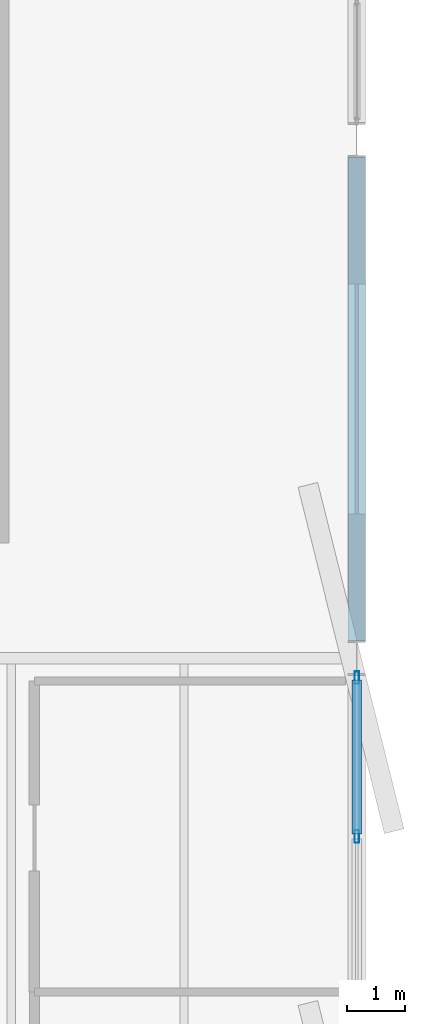
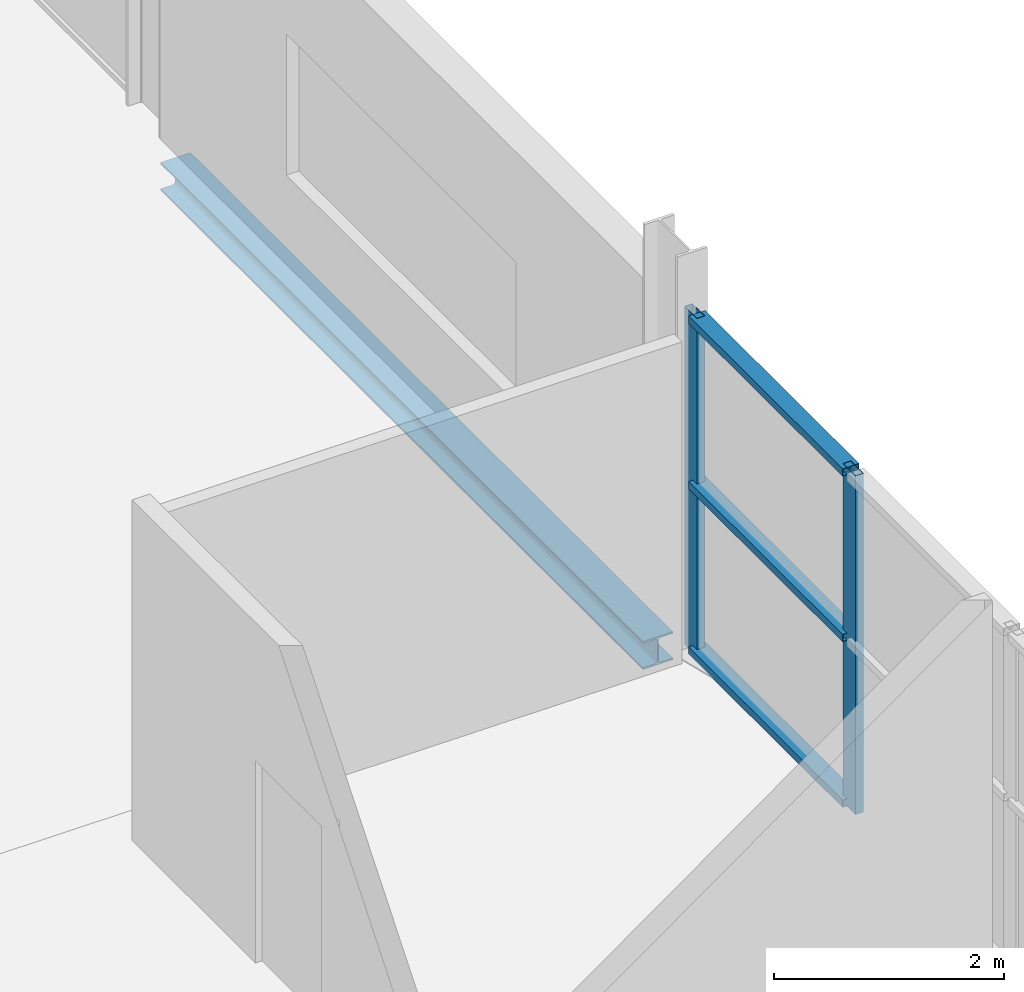
# One storey, part 92 of 135: 5 members, 1 beam, 1 element without a shape of its own.
"""IFC4 building model written with IfcOpenShell, lengths in metres."""

import ifcopenshell
import ifcopenshell.guid

model = None  # the IFC model being written
_history = None  # IfcOwnerHistory: only IFC2X3 demands one
_inside = {}  # id of a spatial element -> (the spatial element, [elements in it])
_under = {}  # id of a project, library or spatial element -> (it, [spatial elements below it])
_declared = {}  # id of a project -> (the project, [libraries it declares])
_typed = {}  # id of a type object -> (the type object, [elements of that type])
_made_of = {}  # id of a material, layer set ... -> (it, [elements and type objects made of it])


def new_model(schema):
    """Start an empty IFC model of exactly this schema.

    Asked for "IFC4X3", IfcOpenShell would pick the latest addendum, in which some entities
    have other attributes; the version numbers below select the first issue.
    IFC2X3 requires an IfcOwnerHistory on every rooted entity: one is made here for all.
    """
    global model, _history
    if schema == "IFC4X3":
        model = ifcopenshell.file(schema_version=(4, 3, 0, 0))
    else:
        model = ifcopenshell.file(schema=schema)
    _inside.clear()
    _under.clear()
    _declared.clear()
    _typed.clear()
    _made_of.clear()
    _history = None
    if model.schema == "IFC2X3":
        org = make("IfcOrganization", Name="unknown")
        user = make(
            "IfcPersonAndOrganization",
            ThePerson=make("IfcPerson", FamilyName="unknown"),
            TheOrganization=org,
        )
        app = make(
            "IfcApplication",
            ApplicationDeveloper=org,
            Version="unknown",
            ApplicationFullName="unknown",
            ApplicationIdentifier="unknown",
        )
        _history = make(
            "IfcOwnerHistory",
            OwningUser=user,
            OwningApplication=app,
            ChangeAction="ADDED",
            CreationDate=0,
        )
    return model


def make(cls, **values):
    """One entity of the class cls with the attributes given. An attribute that is None is left unset."""
    return model.create_entity(
        cls, **{name: value for name, value in values.items() if value is not None}
    )


def rooted(cls, **values):
    """An entity with a GlobalId (a new one), such as an element, a storey or a relation."""
    return make(cls, GlobalId=ifcopenshell.guid.new(), OwnerHistory=_history, **values)


def si_unit(unit_type, name, prefix=None):
    """IfcSIUnit, for example si_unit("LENGTHUNIT", "METRE", prefix="MILLI")."""
    return make("IfcSIUnit", UnitType=unit_type, Prefix=prefix, Name=name)


def assignment(units):
    """IfcUnitAssignment: the units of a project."""
    return None if units is None else make("IfcUnitAssignment", Units=units)


def point(xyz):
    """IfcCartesianPoint."""
    return None if xyz is None else make("IfcCartesianPoint", Coordinates=xyz)


def direction(xyz):
    """IfcDirection."""
    return None if xyz is None else make("IfcDirection", DirectionRatios=xyz)


def frame(location, z_axis=None, x_axis=None):
    """IfcAxis2Placement3D, a coordinate frame: its origin and axes. An axis left out is left unset."""
    return make(
        "IfcAxis2Placement3D",
        Location=point(location),
        Axis=direction(z_axis),
        RefDirection=direction(x_axis),
    )


def frame_2d(location, x_axis=None):
    """IfcAxis2Placement2D, a coordinate frame in the plane: its origin and x axis."""
    return make(
        "IfcAxis2Placement2D", Location=point(location), RefDirection=direction(x_axis)
    )


def origin():
    """The frame at (0, 0, 0) with its axes left unset."""
    return frame((0.0, 0.0, 0.0))


def origin_2d():
    """The frame at (0, 0) in the plane with its x axis left unset."""
    return frame_2d((0.0, 0.0))


def place(relative_to, where):
    """IfcLocalPlacement: puts the frame where relative to a parent placement (None: the world)."""
    return make(
        "IfcLocalPlacement", PlacementRelTo=relative_to, RelativePlacement=where
    )


def context(
    kind, dimensions, precision=None, world=None, true_north=None, identifier=None
):
    """IfcGeometricRepresentationContext, for example the 3D "Model" context."""
    return make(
        "IfcGeometricRepresentationContext",
        ContextIdentifier=identifier,
        ContextType=kind,
        CoordinateSpaceDimension=dimensions,
        Precision=precision,
        WorldCoordinateSystem=world,
        TrueNorth=true_north,
    )


def subcontext(parent, identifier, kind, view, scale=None):
    """IfcGeometricRepresentationSubContext, for example "Body" below "Model"."""
    return make(
        "IfcGeometricRepresentationSubContext",
        ContextIdentifier=identifier,
        ContextType=kind,
        ParentContext=parent,
        TargetScale=scale,
        TargetView=view,
    )


def project(units=None, contexts=None):
    """IfcProject with its units and contexts."""
    return rooted(
        "IfcProject",
        Name="project",
        RepresentationContexts=contexts,
        UnitsInContext=assignment(units),
    )


def spatial(cls, under=None, at=None, **own):
    """A site, building, storey or space (cls), placed at a placement, below another one or the project."""
    s = rooted(cls, ObjectPlacement=at, **own)
    if under is not None:
        _under.setdefault(under.id(), (under, []))[1].append(s)
    return s


def profile(cls, at=None, kind="AREA", **sizes):
    """A parametric profile (cls). Its sizes go by their IFC names, for example OverallWidth=200.0."""
    return make(cls, ProfileType=kind, Position=at, **sizes)


def hollow_rectangle(**sizes):
    """IfcRectangleHollowProfileDef."""
    return profile("IfcRectangleHollowProfileDef", **sizes)


def i_section(**sizes):
    """IfcIShapeProfileDef."""
    return profile("IfcIShapeProfileDef", **sizes)


def extrude(swept, where, along, depth):
    """IfcExtrudedAreaSolid: the profile swept, set in the frame where, extruded along a direction by depth."""
    return make(
        "IfcExtrudedAreaSolid",
        SweptArea=swept,
        Position=where,
        ExtrudedDirection=direction(along),
        Depth=depth,
    )


def shape(context_of_items, identifier, shape_type, items):
    """IfcShapeRepresentation: the items that make up one representation, for example the "Body"."""
    return make(
        "IfcShapeRepresentation",
        ContextOfItems=context_of_items,
        RepresentationIdentifier=identifier,
        RepresentationType=shape_type,
        Items=items,
    )


def material(Name=None, Category=None):
    """IfcMaterial."""
    return make("IfcMaterial", Name=Name, Category=Category)


def layer(
    of_material, thickness, ventilated=None, Name=None, Category=None, Priority=None
):
    """IfcMaterialLayer: one layer of a wall or slab, of a material (None: an air gap)."""
    return make(
        "IfcMaterialLayer",
        Material=of_material,
        LayerThickness=thickness,
        IsVentilated=ventilated,
        Name=Name,
        Category=Category,
        Priority=Priority,
    )


def layer_set(layers, Name=None):
    """IfcMaterialLayerSet."""
    return make("IfcMaterialLayerSet", MaterialLayers=layers, LayerSetName=Name)


def material_profile(
    of_material, cross_section, Name=None, Category=None, Priority=None
):
    """IfcMaterialProfile: a cross section and its material."""
    return make(
        "IfcMaterialProfile",
        Name=Name,
        Material=of_material,
        Profile=cross_section,
        Priority=Priority,
        Category=Category,
    )


def profile_set(profiles, Name=None, composite=None):
    """IfcMaterialProfileSet."""
    return make(
        "IfcMaterialProfileSet",
        Name=Name,
        MaterialProfiles=profiles,
        CompositeProfile=composite,
    )


def made_of(thing, what):
    """Note that an element or type object is made of a material, layer set ...; save() writes the relation."""
    if what is not None:
        _made_of.setdefault(what.id(), (what, []))[1].append(thing)
    return thing


def type_object(cls, material=None, **own):
    """A type object (cls), such as IfcWallType, which elements share."""
    return made_of(rooted(cls, **own), material)


def element(
    cls,
    number,
    at=None,
    inside=None,
    cuts=None,
    type_object=None,
    material=None,
    context=None,
    identifier="Body",
    shape_type=None,
    held_by="IfcProductDefinitionShape",
    body=None,
    shapes=None,
    **own,
):
    """One element of the class cls, such as IfcWall. Its Tag is "e" and its number.

    at: its placement. inside: the storey or other place that contains it. cuts: it is an
    opening in that element (IfcRelVoidsElement). A single representation is given by context,
    identifier, shape_type and body (its items); several are given by shapes. held_by: the class
    of the entity that holds the representations. save() writes the other relations.
    """
    e = rooted(cls, Tag="e%d" % number, ObjectPlacement=at, **own)
    if body is not None:
        shapes = [shape(context, identifier, shape_type, body)]
    if shapes is not None:
        e.Representation = make(held_by, Representations=shapes)
    if inside is not None:
        _inside.setdefault(inside.id(), (inside, []))[1].append(e)
    if cuts is not None:
        rooted(
            "IfcRelVoidsElement", RelatingBuildingElement=cuts, RelatedOpeningElement=e
        )
    if type_object is not None:
        _typed.setdefault(type_object.id(), (type_object, []))[1].append(e)
    return made_of(e, material)


def aggregate(whole, parts):
    """IfcRelAggregates: a whole, such as a stair, and the parts it consists of."""
    return rooted("IfcRelAggregates", RelatingObject=whole, RelatedObjects=parts)


def save(model, path):
    """Write the relations noted so far, then the file.

    IfcRelAggregates (storeys below a building ...), IfcRelContainedInSpatialStructure (elements
    in a storey), IfcRelDefinesByType, IfcRelAssociatesMaterial and IfcRelDeclares: one each for
    every whole, place, type object, material and project.
    """
    for whole, parts in _under.values():
        aggregate(whole, parts)
    for where, things in _inside.values():
        rooted(
            "IfcRelContainedInSpatialStructure",
            RelatedElements=things,
            RelatingStructure=where,
        )
    for kind, things in _typed.values():
        rooted("IfcRelDefinesByType", RelatedObjects=things, RelatingType=kind)
    for what, things in _made_of.values():
        rooted("IfcRelAssociatesMaterial", RelatedObjects=things, RelatingMaterial=what)
    for by, libraries in _declared.values():
        rooted("IfcRelDeclares", RelatingContext=by, RelatedDefinitions=libraries)
    model.write(path)


model = new_model("IFC4")

# Units and contexts
model_context = context("Model", 3, precision=1e-05, world=origin(), true_north=direction((0.0, 1.0)))
body_context = subcontext(model_context, "Body", "Model", "MODEL_VIEW")
ifc_project = project(units=[si_unit("LENGTHUNIT", "METRE"), si_unit("AREAUNIT", "SQUARE_METRE"), si_unit("VOLUMEUNIT", "CUBIC_METRE"), si_unit("PLANEANGLEUNIT", "RADIAN"), si_unit("MASSUNIT", "GRAM", prefix="KILO")], contexts=[model_context])

# Site, building, storey
site_placement = place(None, origin())
site = spatial("IfcSite", under=ifc_project, at=site_placement, CompositionType="ELEMENT")
building_placement = place(site_placement, origin())
building = spatial("IfcBuilding", under=site, at=building_placement, Name="Deido Ridge Mobility Hub", CompositionType="ELEMENT")
storey_placement = place(building_placement, frame((0.0, 0.0, 4.199951171875)))
storey = spatial("IfcBuildingStorey", under=building, at=storey_placement, Name="L01", CompositionType="ELEMENT", Elevation=4.199951171875)

# Curtain wall, members
ifc_material_1 = material(Name="Anodised aluminium EN AW-6063 T6", Category="aluminium")
ifc_layer = layer(ifc_material_1, 0.2548828125, Name="Anodised aluminium EN AW-6063 T6")
ifc_layer_set = layer_set([ifc_layer], Name="Anodised aluminium EN AW-6063 T6")
curtain_wall_type = type_object("IfcCurtainWallType", Name="CW-UF-7", PredefinedType="USERDEFINED", material=ifc_layer_set)
curtain_wall_placement = place(storey_placement, origin())
curtain_wall = element("IfcCurtainWall", 1, at=curtain_wall_placement, inside=storey, type_object=curtain_wall_type, Name="Unitised curtain wall CW7", ObjectType="UNITISED FACADE", PredefinedType="USERDEFINED")
ifc_material_profile_1 = material_profile(ifc_material_1, hollow_rectangle(XDim=0.080078125, YDim=0.219970703125, WallThickness=0.00390625, at=origin_2d()), Name="RHS 80x220x4")
ifc_profile_set_1 = profile_set([ifc_material_profile_1], Name="Anodised aluminium EN AW-6063 T6")
member_type_1 = type_object("IfcMemberType", Name="MEM-MUL-80X220", PredefinedType="MULLION", material=ifc_profile_set_1)
member_1_placement = place(storey_placement, frame((180.0, 32.89990234375, 0.0), z_axis=(0.0, 0.0, 1.0), x_axis=(-1.0, 0.0, 0.0)))
member_1 = element("IfcMember", 2, at=member_1_placement, type_object=member_type_1, Name="CW7 mullion 3", PredefinedType="MULLION", context=body_context, shape_type="SweptSolid", body=[
    extrude(hollow_rectangle(XDim=0.080078125, YDim=0.219970703125, WallThickness=0.00390625, at=origin_2d()), origin(), (0.0, 0.0, 1.0), 3.60009765625),
])
member_2_placement = place(storey_placement, frame((180.0, 35.659912109375, 0.0), z_axis=(0.0, 0.0, 1.0), x_axis=(-1.0, 0.0, 0.0)))
member_2 = element("IfcMember", 3, at=member_2_placement, type_object=member_type_1, Name="CW7 mullion 4", PredefinedType="MULLION", context=body_context, shape_type="SweptSolid", body=[
    extrude(hollow_rectangle(XDim=0.080078125, YDim=0.219970703125, WallThickness=0.00390625, at=origin_2d()), origin(), (0.0, 0.0, 1.0), 3.60009765625),
])
ifc_material_profile_2 = material_profile(ifc_material_1, hollow_rectangle(XDim=0.1650390625, YDim=0.080078125, WallThickness=0.00390625, at=origin_2d()), Name="RHS 165x80x4")
ifc_profile_set_2 = profile_set([ifc_material_profile_2], Name="Anodised aluminium EN AW-6063 T6")
member_type_2 = type_object("IfcMemberType", Name="MEM-TRN-165X80", PredefinedType="USERDEFINED", material=ifc_profile_set_2)
member_3_placement = place(storey_placement, frame((180.0, 32.93994140625, 0.0400390625), z_axis=(0.0, 1.0, 0.0), x_axis=(-1.0, 0.0, 0.0)))
member_3 = element("IfcMember", 4, at=member_3_placement, type_object=member_type_2, Name="CW7 transom 3.1", ObjectType="TRANSOM", PredefinedType="USERDEFINED", context=body_context, shape_type="SweptSolid", body=[
    extrude(hollow_rectangle(XDim=0.1650390625, YDim=0.080078125, WallThickness=0.00390625, at=origin_2d()), origin(), (0.0, 0.0, 1.0), 2.68017578125),
])
member_4_placement = place(storey_placement, frame((180.0, 32.93994140625, 1.800048828125), z_axis=(0.0, 1.0, 0.0), x_axis=(-1.0, 0.0, 0.0)))
member_4 = element("IfcMember", 5, at=member_4_placement, type_object=member_type_2, Name="CW7 transom 3.2", ObjectType="TRANSOM", PredefinedType="USERDEFINED", context=body_context, shape_type="SweptSolid", body=[
    extrude(hollow_rectangle(XDim=0.1650390625, YDim=0.080078125, WallThickness=0.00390625, at=origin_2d()), origin(), (0.0, 0.0, 1.0), 2.68017578125),
])
member_5_placement = place(storey_placement, frame((180.0, 32.93994140625, 3.56005859375), z_axis=(0.0, 1.0, 0.0), x_axis=(-1.0, 0.0, 0.0)))
member_5 = element("IfcMember", 6, at=member_5_placement, type_object=member_type_2, Name="CW7 transom 3.3", ObjectType="TRANSOM", PredefinedType="USERDEFINED", context=body_context, shape_type="SweptSolid", body=[
    extrude(hollow_rectangle(XDim=0.1650390625, YDim=0.080078125, WallThickness=0.00390625, at=origin_2d()), origin(), (0.0, 0.0, 1.0), 2.68017578125),
])
aggregate(curtain_wall, [member_1, member_2, member_3, member_4, member_5])

# Beam
ifc_material_2 = material(Name="Steel S355J2 EN 10025-2", Category="steel")
ifc_material_profile_3 = material_profile(ifc_material_2, i_section(OverallWidth=0.300048828125, OverallDepth=0.300048828125, WebThickness=0.010986328125, FlangeThickness=0.01904296875, FilletRadius=0.027099609375, at=origin_2d()), Name="HEB 300")
ifc_profile_set_3 = profile_set([ifc_material_profile_3], Name="Steel S355J2 EN 10025-2")
beam_type = type_object("IfcBeamType", Name="SPD-HEB300", PredefinedType="SPANDREL", material=ifc_profile_set_3)
beam_placement = place(storey_placement, frame((180.0, 36.300048828125, -0.39990234375), z_axis=(0.0, 1.0, 0.0), x_axis=(-1.0, 0.0, 0.0)))
element("IfcBeam", 7, at=beam_placement, inside=storey, type_object=beam_type, Name="Floor beam SP1", PredefinedType="SPANDREL", context=body_context, shape_type="SweptSolid", body=[
    extrude(i_section(OverallWidth=0.300048828125, OverallDepth=0.300048828125, WebThickness=0.010986328125, FlangeThickness=0.01904296875, FilletRadius=0.027099609375, at=origin_2d()), origin(), (0.0, 0.0, 1.0), 8.39990234375),
])

save(model, "model.ifc")
